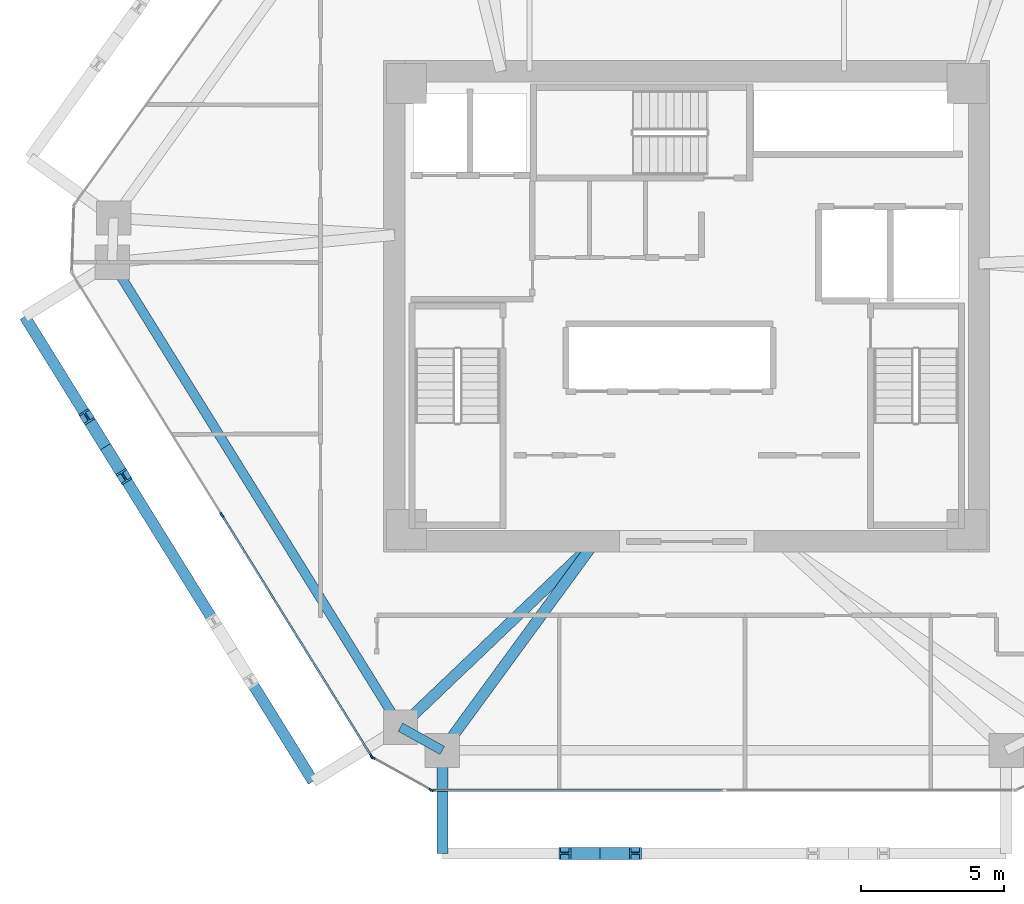
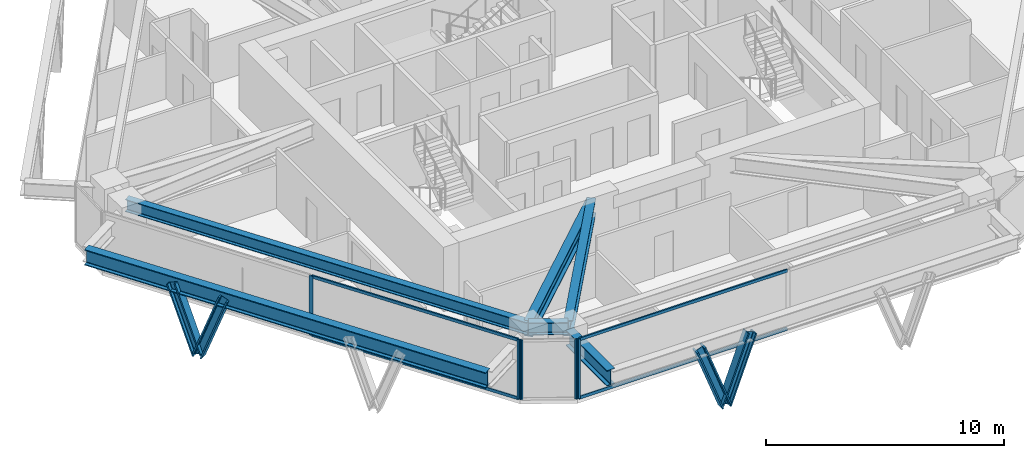
# One storey, part 2 of 14: 13 members, 6 beams, 3 elements without a shape of their own.
"""IFC4 building model written with IfcOpenShell, lengths in metres."""

from ifc_helpers import new_model, si_unit, direction, frame, origin, origin_2d, place, context, subcontext, project, spatial, rectangle, i_section, extrude, source, transform, mapped, material, layer, layer_set, material_profile, profile_set, type_object, type_shapes, element, aggregate, save


model = new_model("IFC4")

# Units and contexts
model_context = context("Model", 3, precision=1e-05, world=origin(), true_north=direction((0.0, 1.0)))
body_context = subcontext(model_context, "Body", "Model", "MODEL_VIEW")
ifc_project = project(units=[si_unit("LENGTHUNIT", "METRE"), si_unit("AREAUNIT", "SQUARE_METRE"), si_unit("VOLUMEUNIT", "CUBIC_METRE"), si_unit("PLANEANGLEUNIT", "RADIAN"), si_unit("MASSUNIT", "GRAM", prefix="KILO")], contexts=[model_context])

# Site, building, storey
site_placement = place(None, origin())
site = spatial("IfcSite", under=ifc_project, at=site_placement, CompositionType="ELEMENT")
building_placement = place(site_placement, origin())
building = spatial("IfcBuilding", under=site, at=building_placement, Name="Durnholm Broadcast Tower", CompositionType="ELEMENT")
storey_placement = place(building_placement, frame((0.0, 0.0, 120.60009765625)))
storey = spatial("IfcBuildingStorey", under=building, at=storey_placement, Name="L32", CompositionType="ELEMENT", Elevation=120.60009765625)

# Beams
ifc_material_1 = material(Name="Steel ASTM A992 Grade 50", Category="steel")
ifc_material_profile_1 = material_profile(ifc_material_1, i_section(OverallWidth=0.385009765625, OverallDepth=0.802978515625, WebThickness=0.023681640625, FlangeThickness=0.0419921875, FilletRadius=0.032958984375, at=origin_2d()), Name="W30X261")
ifc_profile_set_1 = profile_set([ifc_material_profile_1], Name="Steel ASTM A992 Grade 50")
beam_type_1 = type_object("IfcBeamType", Name="BM-EXO-TIE", PredefinedType="USERDEFINED", material=ifc_profile_set_1)
shared_shape_1 = source(origin(), body_context, "Body", "SweptSolid", [
    extrude(i_section(OverallWidth=0.385009765625, OverallDepth=0.802978515625, WebThickness=0.023681640625, FlangeThickness=0.0419921875, FilletRadius=0.032958984375, at=origin_2d()), origin(), (0.0, 0.0, 1.0), 3.4560546875),
])
beam_1_placement = place(storey_placement, frame((-8.552001953125, -15.680908203125, 2.30859375), z_axis=(0.0, -1.0, 0.0), x_axis=(1.0, 0.0, 0.0)))
element("IfcBeam", 1, at=beam_1_placement, inside=storey, type_object=beam_type_1, Name="L32 exoskeleton stand-off tie bracket F1.1", ObjectType="GIRDER", PredefinedType="USERDEFINED", context=body_context, shape_type="MappedRepresentation", body=[
    mapped(shared_shape_1, transform((0.0, 0.0, 0.0), x_axis=(1.0, 0.0, 0.0), y_axis=(0.0, 1.0, 0.0), z_axis=(0.0, 0.0, 1.0), scale=1.0)),
])
ifc_material_profile_2 = material_profile(ifc_material_1, i_section(OverallWidth=0.3291015625, OverallDepth=0.635009765625, WebThickness=0.017822265625, FlangeThickness=0.031005859375, FilletRadius=0.02783203125, at=origin_2d()), Name="W24X162")
ifc_profile_set_2 = profile_set([ifc_material_profile_2], Name="Steel ASTM A992 Grade 50")
beam_type_2 = type_object("IfcBeamType", Name="STL-SP-W24X162", PredefinedType="SPANDREL", material=ifc_profile_set_2)
shared_shape_2 = source(origin(), body_context, "Body", "SweptSolid", [
    extrude(i_section(OverallWidth=0.3291015625, OverallDepth=0.635009765625, WebThickness=0.017822265625, FlangeThickness=0.031005859375, FilletRadius=0.02783203125, at=origin_2d()), origin(), (0.0, 0.0, 1.0), 19.1396484375),
])
beam_2_placement = place(storey_placement, frame((-10.01416015625, -14.723388671875, 2.727294921875), z_axis=(-0.527105324954, 0.849799962582, 0.0), x_axis=(-0.849799962582, -0.527105324954, 0.0)))
element("IfcBeam", 2, at=beam_2_placement, inside=storey, type_object=beam_type_2, Name="L32 perimeter spandrel girder 01", PredefinedType="SPANDREL", context=body_context, shape_type="MappedRepresentation", body=[
    mapped(shared_shape_2, transform((0.0, 0.0, 0.0), x_axis=(1.0, 0.0, 0.0), y_axis=(0.0, 1.0, 0.0), z_axis=(0.0, 0.0, 1.0), scale=1.0)),
])
shared_shape_3 = source(origin(), body_context, "Body", "SweptSolid", [
    extrude(i_section(OverallWidth=0.3291015625, OverallDepth=0.635009765625, WebThickness=0.017822265625, FlangeThickness=0.031005859375, FilletRadius=0.02783203125, at=origin_2d()), origin(), (0.0, 0.0, 1.0), 1.67333984375),
])
type_shapes(beam_type_2, [shared_shape_2, shared_shape_3])
beam_3_placement = place(storey_placement, frame((-8.552001953125, -15.537109375, 2.727294921875), z_axis=(-0.873799169188, 0.486286964586, 0.0), x_axis=(-0.486286964586, -0.873799169188, 0.0)))
element("IfcBeam", 3, at=beam_3_placement, inside=storey, type_object=beam_type_2, Name="L32 perimeter spandrel girder 12", PredefinedType="SPANDREL", context=body_context, shape_type="MappedRepresentation", body=[
    mapped(shared_shape_3, transform((0.0, 0.0, 0.0), x_axis=(1.0, 0.0, 0.0), y_axis=(0.0, 1.0, 0.0), z_axis=(0.0, 0.0, 1.0), scale=1.0)),
])
ifc_material_profile_3 = material_profile(ifc_material_1, i_section(OverallWidth=0.385009765625, OverallDepth=0.802978515625, WebThickness=0.023681640625, FlangeThickness=0.0419921875, FilletRadius=0.032958984375, at=origin_2d()), Name="W30X261")
ifc_profile_set_3 = profile_set([ifc_material_profile_3], Name="Steel ASTM A992 Grade 50")
beam_type_3 = type_object("IfcBeamType", Name="STL-GR-W30X261", PredefinedType="USERDEFINED", material=ifc_profile_set_3)
shared_shape_4 = source(origin(), body_context, "Body", "SweptSolid", [
    extrude(i_section(OverallWidth=0.385009765625, OverallDepth=0.802978515625, WebThickness=0.023681640625, FlangeThickness=0.0419921875, FilletRadius=0.032958984375, at=origin_2d()), origin(), (0.0, 0.0, 1.0), 9.416015625),
])
beam_4_placement = place(storey_placement, frame((-3.199951171875, -8.22509765625, 2.643310546875), z_axis=(-0.723683335801, -0.690132182617, 0.0), x_axis=(0.690132182617, -0.723683335801, 0.0)))
element("IfcBeam", 4, at=beam_4_placement, inside=storey, type_object=beam_type_3, Name="L32 radial primary floor girder 01", ObjectType="GIRDER", PredefinedType="USERDEFINED", context=body_context, shape_type="MappedRepresentation", body=[
    mapped(shared_shape_4, transform((0.0, 0.0, 0.0), x_axis=(1.0, 0.0, 0.0), y_axis=(0.0, 1.0, 0.0), z_axis=(0.0, 0.0, 1.0), scale=1.0)),
])
shared_shape_5 = source(origin(), body_context, "Body", "SweptSolid", [
    extrude(i_section(OverallWidth=0.385009765625, OverallDepth=0.802978515625, WebThickness=0.023681640625, FlangeThickness=0.0419921875, FilletRadius=0.032958984375, at=origin_2d()), origin(), (0.0, 0.0, 1.0), 9.0615234375),
])
type_shapes(beam_type_3, [shared_shape_4, shared_shape_5])
beam_5_placement = place(storey_placement, frame((-3.199951171875, -8.22509765625, 2.643310546875), z_axis=(-0.590639241086, -0.806935739008, 0.0), x_axis=(0.806935739008, -0.590639241086, 0.0)))
element("IfcBeam", 5, at=beam_5_placement, inside=storey, type_object=beam_type_3, Name="L32 radial primary floor girder 12", ObjectType="GIRDER", PredefinedType="USERDEFINED", context=body_context, shape_type="MappedRepresentation", body=[
    mapped(shared_shape_5, transform((0.0, 0.0, 0.0), x_axis=(1.0, 0.0, 0.0), y_axis=(0.0, 1.0, 0.0), z_axis=(0.0, 0.0, 1.0), scale=1.0)),
])
shared_shape_6 = source(origin(), body_context, "Body", "SweptSolid", [
    extrude(i_section(OverallWidth=0.385009765625, OverallDepth=0.802978515625, WebThickness=0.023681640625, FlangeThickness=0.0419921875, FilletRadius=0.032958984375, at=origin_2d()), origin(), (0.0, 0.0, 1.0), 19.139404296875),
])
type_shapes(beam_type_1, [shared_shape_1, shared_shape_6])
beam_6_placement = place(storey_placement, frame((-23.162109375, -0.356201171875, 2.30859375), z_axis=(0.527111038734, -0.84979641847, 0.0), x_axis=(0.84979641847, 0.527111038734, 0.0)))
element("IfcBeam", 6, at=beam_6_placement, inside=storey, type_object=beam_type_1, Name="L32 exoskeleton collector spandrel F6", PredefinedType="SPANDREL", context=body_context, shape_type="MappedRepresentation", body=[
    mapped(shared_shape_6, transform((0.0, 0.0, 0.0), x_axis=(1.0, 0.0, 0.0), y_axis=(0.0, 1.0, 0.0), z_axis=(0.0, 0.0, 1.0), scale=1.0)),
])

# Members
ifc_material_2 = material(Name="Steel ASTM A913 Grade 65", Category="steel")
ifc_material_profile_4 = material_profile(ifc_material_2, i_section(OverallWidth=0.41845703125, OverallDepth=0.455078125, WebThickness=0.0419921875, FlangeThickness=0.067626953125, FilletRadius=0.030517578125, at=origin_2d()), Name="W14X370")
ifc_profile_set_4 = profile_set([ifc_material_profile_4], Name="Steel ASTM A913 Grade 65")
member_type_1 = type_object("IfcMemberType", Name="STL-DG-W14X370", PredefinedType="BRACE", material=ifc_profile_set_4)
shared_shape_7 = source(origin(), body_context, "Body", "SweptSolid", [
    extrude(i_section(OverallWidth=0.41845703125, OverallDepth=0.455078125, WebThickness=0.0419921875, FlangeThickness=0.067626953125, FilletRadius=0.030517578125, at=origin_2d()), origin(), (0.0, 0.0, 1.0), 3.523193359375),
])
type_shapes(member_type_1, [shared_shape_7])
for number, where, z_axis, x_axis, name in (
    (7, (-3.028076171875, -19.136962890625, -0.991455078125), (-0.350219588454, 0.0, 0.936667625075), (0.0, -1.0, 0.0), "L32 stand-off diagrid brace F1.D1.1"),
    (8, (-3.028076171875, -19.136962890625, -0.991455078125), (0.350219588454, 0.0, 0.936667625075), (0.0, 1.0, 0.0), "L32 stand-off diagrid brace F1.D1.2"),
    (9, (-20.337158203125, -4.910400390625, -0.991455078125), (-0.184602835855, 0.297623566065, 0.936665364961), (-0.849805205368, -0.527096872433, 0.0), "L32 stand-off diagrid brace F6.D1.1"),
    (10, (-20.337158203125, -4.910400390625, -0.991455078125), (0.184606642766, -0.297560406921, 0.936684681032), (0.849750220063, 0.527185511469, 0.0), "L32 stand-off diagrid brace F6.D1.2"),
):
    element("IfcMember", number, at=place(storey_placement, frame(where, z_axis=z_axis, x_axis=x_axis)), inside=storey, type_object=member_type_1, Name=name, PredefinedType="BRACE", context=body_context, shape_type="MappedRepresentation", body=[
        mapped(shared_shape_7, transform((0.0, 0.0, 0.0), x_axis=(1.0, 0.0, 0.0), y_axis=(0.0, 1.0, 0.0), z_axis=(0.0, 0.0, 1.0), scale=1.0)),
    ])

# Curtain wall, members
ifc_material_3 = material(Name="Aluminium and Solar Control IGU", Category="aluminium")
ifc_layer_1 = layer(ifc_material_3, 0.1650390625)
ifc_layer_set_1 = layer_set([ifc_layer_1], Name="Aluminium and Solar Control IGU")
curtain_wall_type_1 = type_object("IfcCurtainWallType", Name="CW-SYS-5", PredefinedType="NOTDEFINED", material=ifc_layer_set_1)
curtain_wall_1_placement = place(storey_placement, origin())
curtain_wall_1 = element("IfcCurtainWall", 11, at=curtain_wall_1_placement, inside=storey, type_object=curtain_wall_type_1, Name="L32 curtain wall CW-CORNER CW-L32-CRN-11", PredefinedType="NOTDEFINED")
ifc_material_4 = material(Name="Aluminium 6063-T6", Category="aluminium")
ifc_material_profile_5 = material_profile(ifc_material_4, rectangle(XDim=0.06494140625, YDim=0.1650390625, at=origin_2d()), Name="CWM65X165")
ifc_profile_set_5 = profile_set([ifc_material_profile_5], Name="Aluminium 6063-T6")
member_type_2 = type_object("IfcMemberType", Name="CW-SYS-5-MUL", PredefinedType="MULLION", material=ifc_profile_set_5)
shared_shape_8 = source(origin(), body_context, "Body", "SweptSolid", [
    extrude(rectangle(XDim=0.06494140625, YDim=0.1650390625, at=origin_2d()), origin(), (0.0, 0.0, 1.0), 3.059814453125),
])
type_shapes(member_type_2, [shared_shape_8])
member_1_placement = place(storey_placement, frame((-8.943603515625, -16.921142578125, 0.0), z_axis=(0.0, 0.0, 1.0), x_axis=(-0.486244224192, -0.873822953715, 0.0)))
member_1 = element("IfcMember", 12, at=member_1_placement, type_object=member_type_2, Name="CW-CORNER mullion 1", PredefinedType="MULLION", context=body_context, shape_type="MappedRepresentation", body=[
    mapped(shared_shape_8, transform((0.0, 0.0, 0.0), x_axis=(1.0, 0.0, 0.0), y_axis=(0.0, 1.0, 0.0), z_axis=(0.0, 0.0, 1.0), scale=1.0)),
])
member_2_placement = place(storey_placement, frame((-10.98388671875, -15.785888671875, 0.0), z_axis=(0.0, 0.0, 1.0), x_axis=(-0.486244224192, -0.873822953715, 0.0)))
member_2 = element("IfcMember", 13, at=member_2_placement, type_object=member_type_2, Name="CW-CORNER mullion 2", PredefinedType="MULLION", context=body_context, shape_type="MappedRepresentation", body=[
    mapped(shared_shape_8, transform((0.0, 0.0, 0.0), x_axis=(1.0, 0.0, 0.0), y_axis=(0.0, 1.0, 0.0), z_axis=(0.0, 0.0, 1.0), scale=1.0)),
])
aggregate(curtain_wall_1, [member_1, member_2])

# Curtain wall, member
ifc_layer_2 = layer(ifc_material_3, 0.18994140625)
ifc_layer_set_2 = layer_set([ifc_layer_2], Name="Aluminium and Solar Control IGU")
curtain_wall_type_2 = type_object("IfcCurtainWallType", Name="CW-SYS-3", PredefinedType="NOTDEFINED", material=ifc_layer_set_2)
curtain_wall_2_placement = place(storey_placement, origin())
curtain_wall_2 = element("IfcCurtainWall", 14, at=curtain_wall_2_placement, inside=storey, type_object=curtain_wall_type_2, Name="L32 curtain wall CW-Z12-VIS CW-L32-F10", PredefinedType="NOTDEFINED")
ifc_material_profile_6 = material_profile(ifc_material_4, rectangle(XDim=0.070068359375, YDim=0.18994140625, at=origin_2d()), Name="CWM70X190")
ifc_profile_set_6 = profile_set([ifc_material_profile_6], Name="Aluminium 6063-T6")
member_type_3 = type_object("IfcMemberType", Name="CW-SYS-3-MUL", PredefinedType="MULLION", material=ifc_profile_set_6)
shared_shape_9 = source(origin(), body_context, "Body", "SweptSolid", [
    extrude(rectangle(XDim=0.070068359375, YDim=0.18994140625, at=origin_2d()), origin(), (0.0, 0.0, 1.0), 3.059814453125),
])
type_shapes(member_type_3, [shared_shape_9])
member_3_placement = place(storey_placement, frame((-8.880126953125, -16.93701171875, 0.0), z_axis=(0.0, 0.0, 1.0), x_axis=(0.0, -1.0, 0.0)))
member_3 = element("IfcMember", 15, at=member_3_placement, type_object=member_type_3, Name="CW-Z12-VIS mullion 3", PredefinedType="MULLION", context=body_context, shape_type="MappedRepresentation", body=[
    mapped(shared_shape_9, transform((0.0, 0.0, 0.0), x_axis=(1.0, 0.0, 0.0), y_axis=(0.0, 1.0, 0.0), z_axis=(0.0, 0.0, 1.0), scale=1.0)),
])

# Curtain wall, members
curtain_wall_3_placement = place(storey_placement, origin())
curtain_wall_3 = element("IfcCurtainWall", 16, at=curtain_wall_3_placement, inside=storey, type_object=curtain_wall_type_2, Name="L32 curtain wall CW-Z12-VIS CW-L32-F12", PredefinedType="NOTDEFINED")
member_4_placement = place(storey_placement, frame((-11.03076171875, -15.740234375, 0.0), z_axis=(0.0, 0.0, 1.0), x_axis=(-0.849799925229, -0.527105385176, 0.0)))
member_4 = element("IfcMember", 17, at=member_4_placement, type_object=member_type_3, Name="CW-Z12-VIS mullion 1", PredefinedType="MULLION", context=body_context, shape_type="MappedRepresentation", body=[
    mapped(shared_shape_9, transform((0.0, 0.0, 0.0), x_axis=(1.0, 0.0, 0.0), y_axis=(0.0, 1.0, 0.0), z_axis=(0.0, 0.0, 1.0), scale=1.0)),
])
member_5_placement = place(storey_placement, frame((-16.264404296875, -7.302734375, 0.0), z_axis=(0.0, 0.0, 1.0), x_axis=(-0.849799925229, -0.527105385176, 0.0)))
member_5 = element("IfcMember", 18, at=member_5_placement, type_object=member_type_3, Name="CW-Z12-VIS mullion 2", PredefinedType="MULLION", context=body_context, shape_type="MappedRepresentation", body=[
    mapped(shared_shape_9, transform((0.0, 0.0, 0.0), x_axis=(1.0, 0.0, 0.0), y_axis=(0.0, 1.0, 0.0), z_axis=(0.0, 0.0, 1.0), scale=1.0)),
])

# Member
ifc_material_profile_7 = material_profile(ifc_material_4, rectangle(XDim=0.070068359375, YDim=0.14990234375, at=origin_2d()), Name="CWT70X150")
ifc_profile_set_7 = profile_set([ifc_material_profile_7], Name="Aluminium 6063-T6")
member_type_4 = type_object("IfcMemberType", Name="CW-SYS-3-TRN", PredefinedType="USERDEFINED", material=ifc_profile_set_7)
shared_shape_10 = source(origin(), body_context, "Body", "SweptSolid", [
    extrude(rectangle(XDim=0.070068359375, YDim=0.14990234375, at=origin_2d()), origin(), (0.0, 0.0, 1.0), 10.109619140625),
])
member_6_placement = place(storey_placement, frame((1.264404296875, -16.93701171875, 0.034912109375), z_axis=(-1.0, 0.0, 0.0), x_axis=(0.0, -1.0, 0.0)))
member_6 = element("IfcMember", 19, at=member_6_placement, type_object=member_type_4, Name="CW-Z12-VIS transom 2.1", ObjectType="TRANSOM", PredefinedType="USERDEFINED", context=body_context, shape_type="MappedRepresentation", body=[
    mapped(shared_shape_10, transform((0.0, 0.0, 0.0), x_axis=(1.0, 0.0, 0.0), y_axis=(0.0, 1.0, 0.0), z_axis=(0.0, 0.0, 1.0), scale=1.0)),
])

member_7_placement = place(storey_placement, frame((1.264404296875, -16.93701171875, 3.02490234375), z_axis=(-1.0, 0.0, 0.0), x_axis=(0.0, -1.0, 0.0)))
member_7 = element("IfcMember", 20, at=member_7_placement, type_object=member_type_4, Name="CW-Z12-VIS transom 2.2", ObjectType="TRANSOM", PredefinedType="USERDEFINED", context=body_context, shape_type="MappedRepresentation", body=[
    mapped(shared_shape_10, transform((0.0, 0.0, 0.0), x_axis=(1.0, 0.0, 0.0), y_axis=(0.0, 1.0, 0.0), z_axis=(0.0, 0.0, 1.0), scale=1.0)),
])

aggregate(curtain_wall_2, [member_3, member_6, member_7])

shared_shape_11 = source(origin(), body_context, "Body", "SweptSolid", [
    extrude(rectangle(XDim=0.070068359375, YDim=0.14990234375, at=origin_2d()), origin(), (0.0, 0.0, 1.0), 9.858642578125),
])
type_shapes(member_type_4, [shared_shape_10, shared_shape_11])
member_8_placement = place(storey_placement, frame((-11.04931640625, -15.71044921875, 0.034912109375), z_axis=(-0.527102081419, 0.849801974441, 0.0), x_axis=(-0.849801974441, -0.527102081419, 0.0)))
member_8 = element("IfcMember", 21, at=member_8_placement, type_object=member_type_4, Name="CW-Z12-VIS transom 1.1", ObjectType="TRANSOM", PredefinedType="USERDEFINED", context=body_context, shape_type="MappedRepresentation", body=[
    mapped(shared_shape_11, transform((0.0, 0.0, 0.0), x_axis=(1.0, 0.0, 0.0), y_axis=(0.0, 1.0, 0.0), z_axis=(0.0, 0.0, 1.0), scale=1.0)),
])

member_9_placement = place(storey_placement, frame((-11.04931640625, -15.71044921875, 3.02490234375), z_axis=(-0.527102081419, 0.849801974441, 0.0), x_axis=(-0.849801974441, -0.527102081419, 0.0)))
member_9 = element("IfcMember", 22, at=member_9_placement, type_object=member_type_4, Name="CW-Z12-VIS transom 1.2", ObjectType="TRANSOM", PredefinedType="USERDEFINED", context=body_context, shape_type="MappedRepresentation", body=[
    mapped(shared_shape_11, transform((0.0, 0.0, 0.0), x_axis=(1.0, 0.0, 0.0), y_axis=(0.0, 1.0, 0.0), z_axis=(0.0, 0.0, 1.0), scale=1.0)),
])

aggregate(curtain_wall_3, [member_4, member_5, member_8, member_9])

save(model, "model.ifc")
